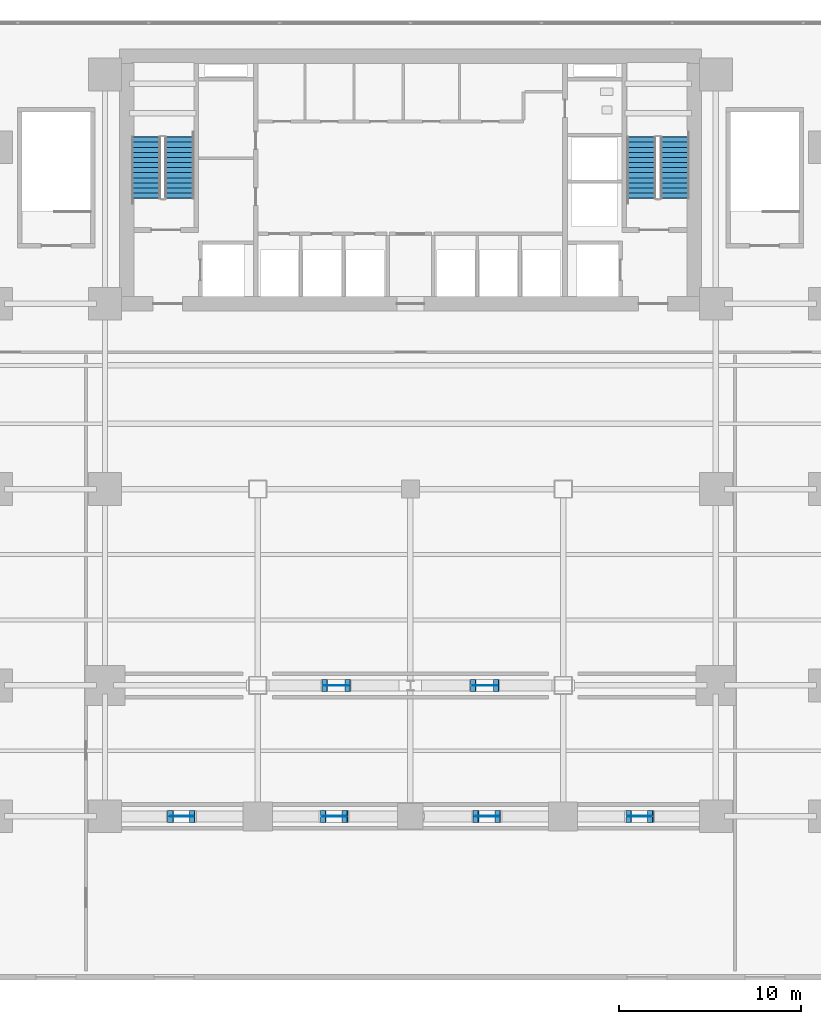
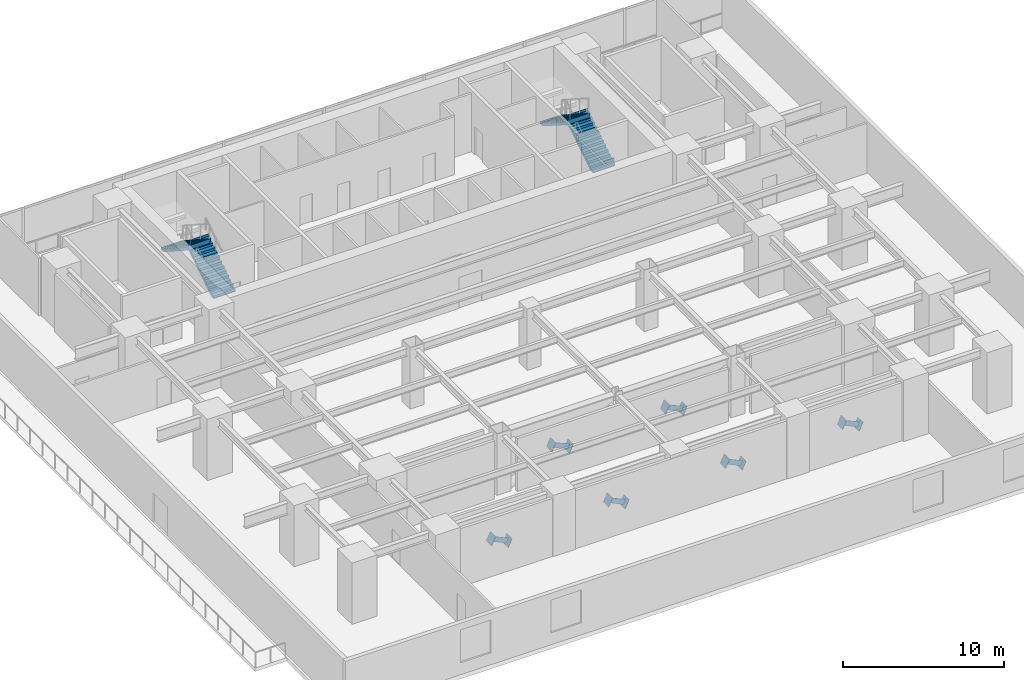
# One storey, part 11 of 15: 18 discrete accessories, 4 stair flights, 2 elements without a shape of their own.
"""IFC4 building model written with IfcOpenShell, lengths in metres."""

from ifc_helpers import new_model, si_unit, direction, frame, origin, origin_2d, place, context, subcontext, project, spatial, polyline, rectangle, outline, extrude, source, transform, mapped, material, layer, layer_set, type_object, element, aggregate, save


model = new_model("IFC4")

# Units and contexts
model_context = context("Model", 3, precision=1e-05, world=origin(), true_north=direction((0.0, 1.0)))
body_context = subcontext(model_context, "Body", "Model", "MODEL_VIEW")
ifc_project = project(units=[si_unit("LENGTHUNIT", "METRE"), si_unit("AREAUNIT", "SQUARE_METRE"), si_unit("VOLUMEUNIT", "CUBIC_METRE"), si_unit("PLANEANGLEUNIT", "RADIAN"), si_unit("MASSUNIT", "GRAM", prefix="KILO")], contexts=[model_context])

# Site, building, storey
site_placement = place(None, origin())
site = spatial("IfcSite", under=ifc_project, at=site_placement, CompositionType="ELEMENT")
building_placement = place(site_placement, origin())
building = spatial("IfcBuilding", under=site, at=building_placement, Name="Sumidabori Civic Tower", CompositionType="ELEMENT")
storey_placement = place(building_placement, frame((0.0, 0.0, 18.949951171875)))
storey = spatial("IfcBuildingStorey", under=building, at=storey_placement, Name="L04", CompositionType="ELEMENT", Elevation=18.949951171875)

# Stair, stair flights
ifc_material_1 = material(Name="Concrete C40/50", Category="concrete")
stair_type = type_object("IfcStairType", Name="ST-CORE-1600", PredefinedType="HALF_TURN_STAIR", material=ifc_material_1)
stair_1_placement = place(storey_placement, origin())
stair_1 = element("IfcStair", 1, at=stair_1_placement, inside=storey, type_object=stair_type, Name="L04 ST-1", PredefinedType="HALF_TURN_STAIR")
stair_flight_type = type_object("IfcStairFlightType", Name="SF-CORE-1600", PredefinedType="STRAIGHT", material=ifc_material_1)
shared_shape_1 = source(origin(), body_context, "Body", "SweptSolid", [
    extrude(outline(polyline([(-0.02490234375, 0.0), (-0.02490234375, 0.0400390625), (0.0, 0.0400390625), (0.0, 0.178955078125), (0.280029296875, 0.178955078125), (0.280029296875, 0.357666015625), (0.56005859375, 0.357666015625), (0.56005859375, 0.53662109375), (0.840087890625, 0.53662109375), (0.840087890625, 0.71533203125), (1.1201171875, 0.71533203125), (1.1201171875, 0.894287109375), (1.39990234375, 0.894287109375), (1.39990234375, 1.072998046875), (1.679931640625, 1.072998046875), (1.679931640625, 1.251953125), (1.9599609375, 1.251953125), (1.9599609375, 1.4306640625), (2.239990234375, 1.4306640625), (2.239990234375, 1.609619140625), (2.52001953125, 1.609619140625), (2.52001953125, 1.78857421875), (2.800048828125, 1.78857421875), (2.800048828125, 1.96728515625), (3.080078125, 1.96728515625), (3.080078125, 2.146240234375), (3.360107421875, 2.146240234375), (3.360107421875, 2.324951171875), (3.385009765625, 2.324951171875), (3.385009765625, 2.175048828125), (3.360107421875, 1.96826171875), (0.278564453125, 0.0), (-0.02490234375, 0.0)])), frame((0.0, 0.800048828125, 0.0), z_axis=(0.0, -1.0, 0.0), x_axis=(1.0, 0.0, 0.0)), (0.0, 0.0, 1.0), 1.60009765625),
])
stair_flight_1_placement = place(storey_placement, frame((-12.699951171875, 16.0, 0.0), z_axis=(0.0, 0.0, 1.0), x_axis=(0.0, 1.0, 0.0)))
stair_flight_1 = element("IfcStairFlight", 2, at=stair_flight_1_placement, type_object=stair_flight_type, Name="ST-1 flight 1", NumberOfRisers=13, NumberOfTreads=12, PredefinedType="STRAIGHT", RiserHeight=0.178846154, TreadLength=0.28, context=body_context, shape_type="MappedRepresentation", body=[
    mapped(shared_shape_1, transform((0.0, 0.0, 0.0), x_axis=(1.0, 0.0, 0.0), y_axis=(0.0, 1.0, 0.0), z_axis=(0.0, 0.0, 1.0), scale=1.0)),
])
stair_flight_2_placement = place(storey_placement, frame((-14.5400390625, 19.360107421875, 2.324951171875), z_axis=(0.0, 0.0, 1.0), x_axis=(0.0, -1.0, 0.0)))
stair_flight_2 = element("IfcStairFlight", 3, at=stair_flight_2_placement, type_object=stair_flight_type, Name="ST-1 flight 2", NumberOfRisers=13, NumberOfTreads=12, PredefinedType="STRAIGHT", RiserHeight=0.178846154, TreadLength=0.28, context=body_context, shape_type="MappedRepresentation", body=[
    mapped(shared_shape_1, transform((0.0, 0.0, 0.0), x_axis=(1.0, 0.0, 0.0), y_axis=(0.0, 1.0, 0.0), z_axis=(0.0, 0.0, 1.0), scale=1.0)),
])
aggregate(stair_1, [stair_flight_1, stair_flight_2])

stair_2_placement = place(storey_placement, origin())
stair_2 = element("IfcStair", 4, at=stair_2_placement, inside=storey, type_object=stair_type, Name="L04 ST-2", PredefinedType="HALF_TURN_STAIR")
stair_flight_3_placement = place(storey_placement, frame((14.5400390625, 16.0, 0.0), z_axis=(0.0, 0.0, 1.0), x_axis=(0.0, 1.0, 0.0)))
stair_flight_3 = element("IfcStairFlight", 5, at=stair_flight_3_placement, type_object=stair_flight_type, Name="ST-2 flight 1", NumberOfRisers=13, NumberOfTreads=12, PredefinedType="STRAIGHT", RiserHeight=0.178846154, TreadLength=0.28, context=body_context, shape_type="MappedRepresentation", body=[
    mapped(shared_shape_1, transform((0.0, 0.0, 0.0), x_axis=(1.0, 0.0, 0.0), y_axis=(0.0, 1.0, 0.0), z_axis=(0.0, 0.0, 1.0), scale=1.0)),
])
stair_flight_4_placement = place(storey_placement, frame((12.699951171875, 19.360107421875, 2.324951171875), z_axis=(0.0, 0.0, 1.0), x_axis=(0.0, -1.0, 0.0)))
stair_flight_4 = element("IfcStairFlight", 6, at=stair_flight_4_placement, type_object=stair_flight_type, Name="ST-2 flight 2", NumberOfRisers=13, NumberOfTreads=12, PredefinedType="STRAIGHT", RiserHeight=0.178846154, TreadLength=0.28, context=body_context, shape_type="MappedRepresentation", body=[
    mapped(shared_shape_1, transform((0.0, 0.0, 0.0), x_axis=(1.0, 0.0, 0.0), y_axis=(0.0, 1.0, 0.0), z_axis=(0.0, 0.0, 1.0), scale=1.0)),
])
aggregate(stair_2, [stair_flight_3, stair_flight_4])

# Discrete accessories
ifc_material_2 = material(Name="Steel SM570", Category="steel")
ifc_layer_1 = layer(ifc_material_2, 0.028076171875, Name="Steel SM570")
ifc_layer_set_1 = layer_set([ifc_layer_1], Name="Steel SM570")
discrete_accessory_type_1 = type_object("IfcDiscreteAccessoryType", Name="AC-CAP-SM570", PredefinedType="USERDEFINED", material=ifc_layer_set_1)
shared_shape_2 = source(origin(), body_context, "Body", "SweptSolid", [
    extrude(rectangle(XDim=0.669921875, YDim=0.669921875, at=origin_2d()), origin(), (0.0, 0.0, 1.0), 0.039794921875),
])
for number, where, z_axis, x_axis, name in (
    (7, (-4.7333984375, -10.800048828125, 2.09326171875), (0.914316930301, 0.0, -0.404999445636), (0.0, 1.0, 0.0), "Hollow Section End Cap Plate XND-TT1-1 Lower"),
    (8, (-3.4365234375, -10.800048828125, 1.516845703125), (-0.914316930301, 0.0, 0.404999445636), (0.0, -1.0, 0.0), "Hollow Section End Cap Plate XND-TT1-1 Upper"),
    (9, (3.4365234375, -10.800048828125, 2.09326171875), (0.914316930301, 0.0, -0.404999445636), (0.0, 1.0, 0.0), "Hollow Section End Cap Plate XND-TT1-2 Lower"),
    (10, (4.7333984375, -10.800048828125, 1.516845703125), (-0.914316930301, 0.0, 0.404999445636), (0.0, -1.0, 0.0), "Hollow Section End Cap Plate XND-TT1-2 Upper"),
):
    element("IfcDiscreteAccessory", number, at=place(storey_placement, frame(where, z_axis=z_axis, x_axis=x_axis)), inside=storey, type_object=discrete_accessory_type_1, Name=name, ObjectType="End Cap Plate", PredefinedType="USERDEFINED", context=body_context, shape_type="MappedRepresentation", body=[
        mapped(shared_shape_2, transform((0.0, 0.0, 0.0), x_axis=(1.0, 0.0, 0.0), y_axis=(0.0, 1.0, 0.0), z_axis=(0.0, 0.0, 1.0), scale=1.0)),
    ])
ifc_layer_2 = layer(ifc_material_2, 0.044921875, Name="Steel SM570")
ifc_layer_set_2 = layer_set([ifc_layer_2], Name="Steel SM570")
discrete_accessory_type_2 = type_object("IfcDiscreteAccessoryType", Name="AC-XND-SM570", PredefinedType="BRACKET", material=ifc_layer_set_2)
shared_shape_3 = source(origin(), body_context, "Body", "SweptSolid", [
    extrude(rectangle(XDim=0.0400390625, YDim=0.365966796875, at=origin_2d()), origin(), (0.0, 0.0, 1.0), 1.373291015625),
])
for number, where, z_axis, x_axis, name in (
    (11, (-4.71240234375, -10.800048828125, 2.083984375), (0.913774889802, 0.0, -0.406220938365), (0.0, 1.0, 0.0), "X-Brace Crossing Gusset Node XND-TT1-1"),
    (12, (3.45751953125, -10.800048828125, 2.083984375), (0.913774889802, 0.0, -0.406220938365), (0.0, 1.0, 0.0), "X-Brace Crossing Gusset Node XND-TT1-2"),
):
    element("IfcDiscreteAccessory", number, at=place(storey_placement, frame(where, z_axis=z_axis, x_axis=x_axis)), inside=storey, type_object=discrete_accessory_type_2, Name=name, PredefinedType="BRACKET", context=body_context, shape_type="MappedRepresentation", body=[
        mapped(shared_shape_3, transform((0.0, 0.0, 0.0), x_axis=(1.0, 0.0, 0.0), y_axis=(0.0, 1.0, 0.0), z_axis=(0.0, 0.0, 1.0), scale=1.0)),
    ])
shared_shape_4 = source(origin(), body_context, "Body", "SweptSolid", [
    extrude(rectangle(XDim=0.669921875, YDim=0.669921875, at=origin_2d()), origin(), (0.0, 0.0, 1.0), 0.0400390625),
])
for number, where, z_axis, x_axis, name in (
    (13, (-13.214111328125, -18.0, 2.291259765625), (0.90742390538, 0.0, -0.420216439404), (0.0, 1.0, 0.0), "Hollow Section End Cap Plate XND-TT2-1 Lower"),
    (14, (-11.98583984375, -18.0, 1.71875), (-0.90742390538, 0.0, 0.420216439404), (0.0, -1.0, 0.0), "Hollow Section End Cap Plate XND-TT2-1 Upper"),
    (15, (-4.814208984375, -18.0, 2.291259765625), (0.90742390538, 0.0, -0.420216439404), (0.0, 1.0, 0.0), "Hollow Section End Cap Plate XND-TT2-2 Lower"),
    (16, (-3.5859375, -18.0, 1.71875), (-0.90742390538, 0.0, 0.420216439404), (0.0, -1.0, 0.0), "Hollow Section End Cap Plate XND-TT2-2 Upper"),
    (17, (3.5859375, -18.0, 2.291259765625), (0.90742390538, 0.0, -0.420216439404), (0.0, 1.0, 0.0), "Hollow Section End Cap Plate XND-TT2-3 Lower"),
    (18, (4.814208984375, -18.0, 1.71875), (-0.90742390538, 0.0, 0.420216439404), (0.0, -1.0, 0.0), "Hollow Section End Cap Plate XND-TT2-3 Upper"),
    (19, (11.98583984375, -18.0, 2.291259765625), (0.90742390538, 0.0, -0.420216439404), (0.0, 1.0, 0.0), "Hollow Section End Cap Plate XND-TT2-4 Lower"),
    (20, (13.214111328125, -18.0, 1.71875), (-0.90742390538, 0.0, 0.420216439404), (0.0, -1.0, 0.0), "Hollow Section End Cap Plate XND-TT2-4 Upper"),
):
    element("IfcDiscreteAccessory", number, at=place(storey_placement, frame(where, z_axis=z_axis, x_axis=x_axis)), inside=storey, type_object=discrete_accessory_type_1, Name=name, ObjectType="End Cap Plate", PredefinedType="USERDEFINED", context=body_context, shape_type="MappedRepresentation", body=[
        mapped(shared_shape_4, transform((0.0, 0.0, 0.0), x_axis=(1.0, 0.0, 0.0), y_axis=(0.0, 1.0, 0.0), z_axis=(0.0, 0.0, 1.0), scale=1.0)),
    ])
shared_shape_5 = source(origin(), body_context, "Body", "SweptSolid", [
    extrude(rectangle(XDim=0.0400390625, YDim=0.365966796875, at=origin_2d()), origin(), (0.0, 0.0, 1.0), 1.308837890625),
])
for number, where, z_axis, x_axis, name in (
    (21, (-13.193115234375, -18.0, 2.28173828125), (0.906292706117, 0.0, -0.422650601371), (0.0, 1.0, 0.0), "X-Brace Crossing Gusset Node XND-TT2-1"),
    (22, (12.0068359375, -18.0, 2.28173828125), (0.906292706117, 0.0, -0.422650601371), (0.0, 1.0, 0.0), "X-Brace Crossing Gusset Node XND-TT2-4"),
):
    element("IfcDiscreteAccessory", number, at=place(storey_placement, frame(where, z_axis=z_axis, x_axis=x_axis)), inside=storey, type_object=discrete_accessory_type_2, Name=name, PredefinedType="BRACKET", context=body_context, shape_type="MappedRepresentation", body=[
        mapped(shared_shape_5, transform((0.0, 0.0, 0.0), x_axis=(1.0, 0.0, 0.0), y_axis=(0.0, 1.0, 0.0), z_axis=(0.0, 0.0, 1.0), scale=1.0)),
    ])
shared_shape_6 = source(origin(), body_context, "Body", "SweptSolid", [
    extrude(rectangle(XDim=0.0400390625, YDim=0.365966796875, at=origin_2d()), origin(), (0.0, 0.0, 1.0), 1.30908203125),
])
for number, where, z_axis, x_axis, name in (
    (23, (-4.793212890625, -18.0, 2.28173828125), (0.906326016104, 0.0, -0.422579167179), (0.0, 1.0, 0.0), "X-Brace Crossing Gusset Node XND-TT2-2"),
    (24, (3.606689453125, -18.0, 2.28173828125), (0.906326016104, 0.0, -0.422579167179), (0.0, 1.0, 0.0), "X-Brace Crossing Gusset Node XND-TT2-3"),
):
    element("IfcDiscreteAccessory", number, at=place(storey_placement, frame(where, z_axis=z_axis, x_axis=x_axis)), inside=storey, type_object=discrete_accessory_type_2, Name=name, PredefinedType="BRACKET", context=body_context, shape_type="MappedRepresentation", body=[
        mapped(shared_shape_6, transform((0.0, 0.0, 0.0), x_axis=(1.0, 0.0, 0.0), y_axis=(0.0, 1.0, 0.0), z_axis=(0.0, 0.0, 1.0), scale=1.0)),
    ])

save(model, "model.ifc")
